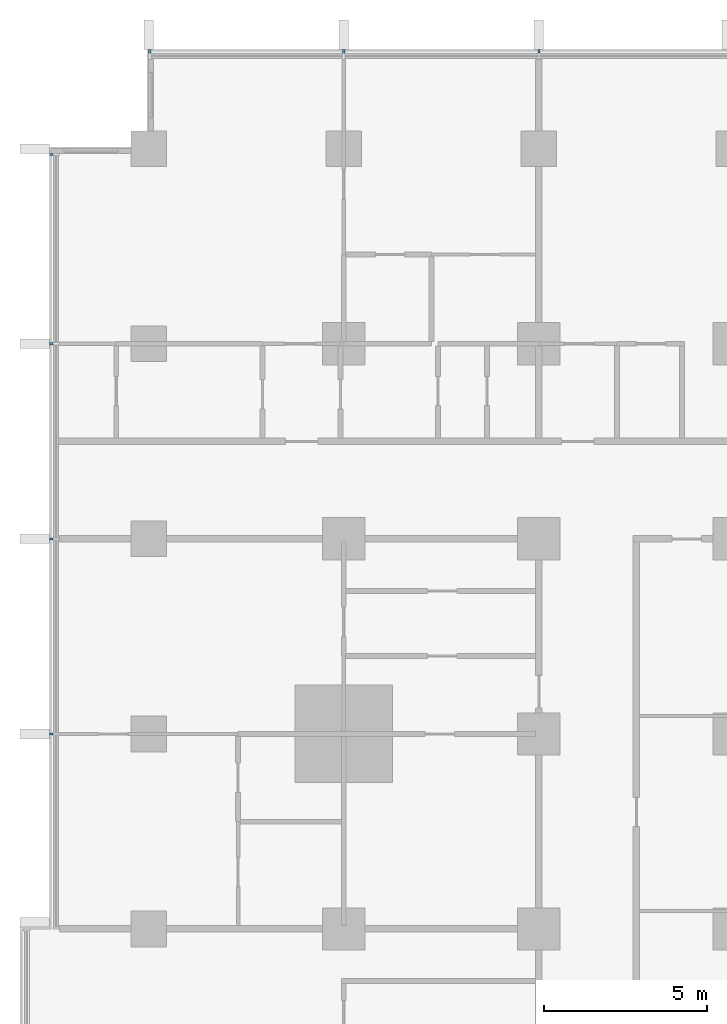
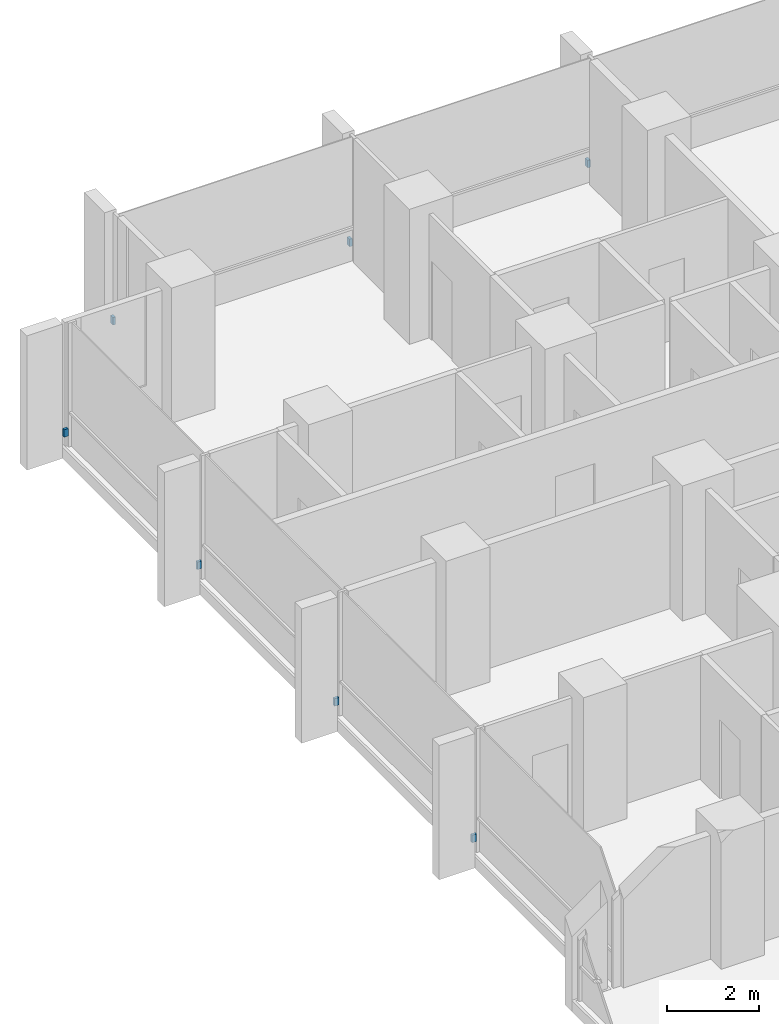
# One storey, part 16 of 18: 7 discrete accessories.
"""IFC4 building model written with IfcOpenShell, lengths in metres."""

from ifc_helpers import new_model, si_unit, direction, frame, origin, origin_2d, place, context, subcontext, project, spatial, rectangle, extrude, material, type_object, element, save


model = new_model("IFC4")

# Units and contexts
model_context = context("Model", 3, precision=1e-05, world=origin(), true_north=direction((0.0, 1.0)))
body_context = subcontext(model_context, "Body", "Model", "MODEL_VIEW")
ifc_project = project(units=[si_unit("LENGTHUNIT", "METRE"), si_unit("AREAUNIT", "SQUARE_METRE"), si_unit("VOLUMEUNIT", "CUBIC_METRE"), si_unit("PLANEANGLEUNIT", "RADIAN"), si_unit("MASSUNIT", "GRAM", prefix="KILO")], contexts=[model_context])

# Site, building, storey
site_placement = place(None, origin())
site = spatial("IfcSite", under=ifc_project, at=site_placement, CompositionType="ELEMENT")
building_placement = place(site_placement, origin())
building = spatial("IfcBuilding", under=site, at=building_placement, Name="Finial Court Residences", CompositionType="ELEMENT")
storey_placement = place(building_placement, frame((0.0, 0.0, 50.5)))
storey = spatial("IfcBuildingStorey", under=building, at=storey_placement, Name="L11", CompositionType="ELEMENT", Elevation=50.5)

# Discrete accessories
ifc_material = material(Name="Stainless steel 316", Category="steel")
discrete_accessory_type = type_object("IfcDiscreteAccessoryType", Name="Fin bracket, stainless steel 65 x 110 x 200", PredefinedType="BRACKET", material=ifc_material)
for number, where, z_axis, x_axis, name in (
    (1, (-22.467529296875, 28.5048828125, 0.2998046875), (0.0, 0.0, 1.0), (1.0, 0.0, 0.0), "E-L11-FIN-N1-BRK"),
    (2, (-16.5, 28.5048828125, 0.2998046875), (0.0, 0.0, 1.0), (1.0, 0.0, 0.0), "E-L11-FIN-N2-BRK"),
    (3, (-10.5, 28.5048828125, 0.2998046875), (0.0, 0.0, 1.0), (1.0, 0.0, 0.0), "E-L11-FIN-N3-BRK"),
):
    element("IfcDiscreteAccessory", number, at=place(storey_placement, frame(where, z_axis=z_axis, x_axis=x_axis)), inside=storey, type_object=discrete_accessory_type, Name=name, PredefinedType="BRACKET", context=body_context, shape_type="SweptSolid", body=[
        extrude(rectangle(XDim=0.06494140625, YDim=0.110107421875, at=origin_2d()), origin(), (0.0, 0.0, 1.0), 0.199951171875),
    ])
for number, where, z_axis, x_axis, name in (
    (4, (-25.5048828125, 7.5, 0.2998046875), (0.0, 0.0, 1.0), (1.0, 0.0, 0.0), "E-L11-FIN-W31-BRK"),
    (5, (-25.5048828125, 13.5, 0.2998046875), (0.0, 0.0, 1.0), (1.0, 0.0, 0.0), "E-L11-FIN-W32-BRK"),
    (6, (-25.5048828125, 19.5, 0.2998046875), (0.0, 0.0, 1.0), (1.0, 0.0, 0.0), "E-L11-FIN-W33-BRK"),
    (7, (-25.5048828125, 25.3173828125, 0.2998046875), (0.0, 0.0, 1.0), (1.0, 0.0, 0.0), "E-L11-FIN-W34-BRK"),
):
    element("IfcDiscreteAccessory", number, at=place(storey_placement, frame(where, z_axis=z_axis, x_axis=x_axis)), inside=storey, type_object=discrete_accessory_type, Name=name, PredefinedType="BRACKET", context=body_context, shape_type="SweptSolid", body=[
        extrude(rectangle(XDim=0.110107421875, YDim=0.06494140625, at=origin_2d()), origin(), (0.0, 0.0, 1.0), 0.199951171875),
    ])

save(model, "model.ifc")
